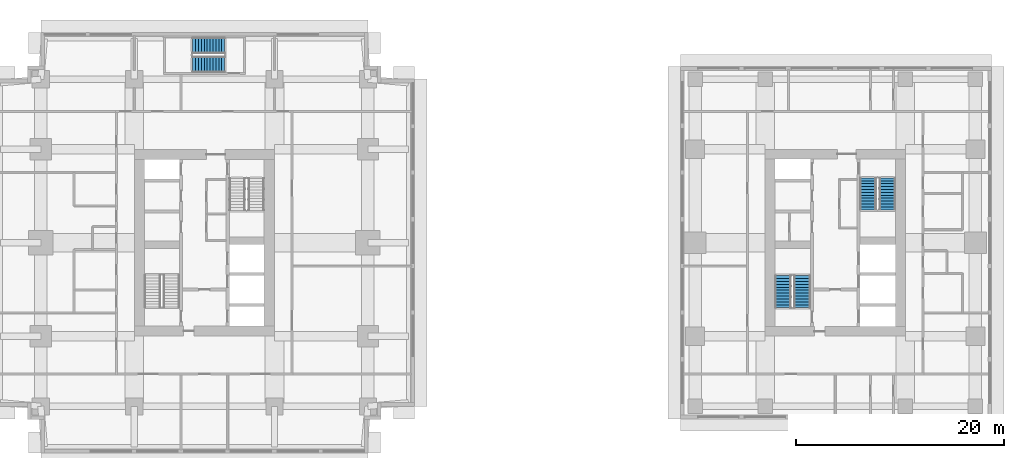
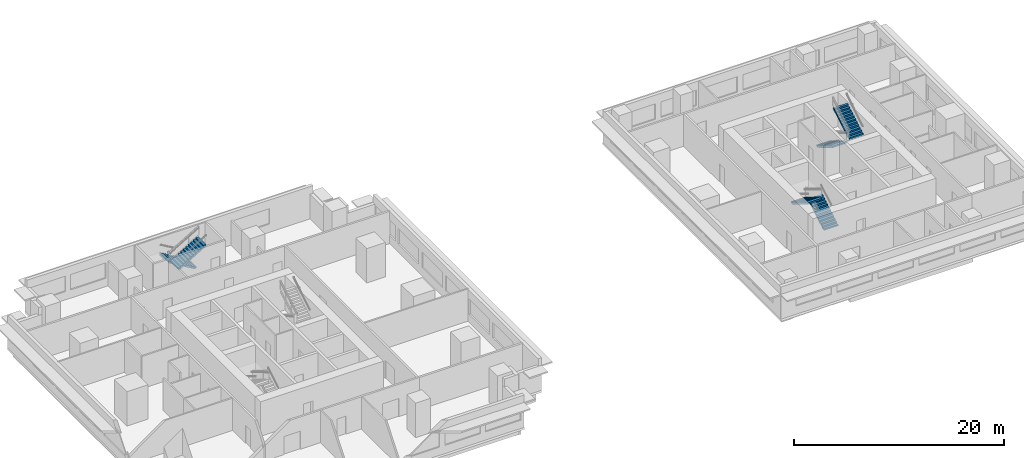
# One storey, part 9 of 11: 6 stair flights, 3 elements without a shape of their own.
"""IFC4 building model written with IfcOpenShell, lengths in metres."""

from ifc_helpers import new_model, si_unit, direction, frame, origin, place, context, subcontext, project, spatial, polyline, outline, extrude, material, type_object, element, aggregate, save


model = new_model("IFC4")

# Units and contexts
model_context = context("Model", 3, precision=1e-05, world=origin(), true_north=direction((0.0, 1.0)))
body_context = subcontext(model_context, "Body", "Model", "MODEL_VIEW")
ifc_project = project(units=[si_unit("LENGTHUNIT", "METRE"), si_unit("AREAUNIT", "SQUARE_METRE"), si_unit("VOLUMEUNIT", "CUBIC_METRE"), si_unit("PLANEANGLEUNIT", "RADIAN"), si_unit("MASSUNIT", "GRAM", prefix="KILO")], contexts=[model_context])

# Site, building, storey
site_placement = place(None, origin())
site = spatial("IfcSite", under=ifc_project, at=site_placement, CompositionType="ELEMENT")
building_placement = place(site_placement, origin())
building = spatial("IfcBuilding", under=site, at=building_placement, Name="Namib Vertical Campus", CompositionType="ELEMENT")
storey_placement = place(building_placement, frame((0.0, 0.0, 193.0)))
storey = spatial("IfcBuildingStorey", under=building, at=storey_placement, Name="L45", CompositionType="ELEMENT", Elevation=193.0)

# Stair, stair flights
ifc_material_1 = material(Name="Concrete C40/50 precast", Category="concrete")
stair_type_1 = type_object("IfcStairType", Name="Exit stair 4000 rise 24 risers 3350 wide", PredefinedType="HALF_TURN_STAIR", material=ifc_material_1)
stair_1_placement = place(storey_placement, origin())
stair_1 = element("IfcStair", 1, at=stair_1_placement, inside=storey, type_object=stair_type_1, Name="Exit stair A-S3 L45", PredefinedType="HALF_TURN_STAIR")
ifc_material_2 = material(Name="Concrete C40/50 precast", Category="concrete")
stair_flight_type_1 = type_object("IfcStairFlightType", Name="Stair flight 12 risers 167 1525 wide", PredefinedType="STRAIGHT", material=ifc_material_2)
stair_flight_1_placement = place(storey_placement, frame((22.199951171875, 39.237548828125, 0.0), z_axis=(0.0, 0.0, 1.0), x_axis=(-1.0, 0.0, 0.0)))
stair_flight_1 = element("IfcStairFlight", 2, at=stair_flight_1_placement, type_object=stair_flight_type_1, Name="A-S3 flight 1", NumberOfRisers=12, NumberOfTreads=11, PredefinedType="STRAIGHT", RiserHeight=0.166666667, TreadLength=0.28, context=body_context, shape_type="SweptSolid", body=[
    extrude(outline(polyline([(0.0, 0.0), (0.0, 0.166748046875), (0.280029296875, 0.166748046875), (0.280029296875, 0.333251953125), (0.56005859375, 0.333251953125), (0.56005859375, 0.5), (0.840087890625, 0.5), (0.840087890625, 0.666748046875), (1.1201171875, 0.666748046875), (1.1201171875, 0.833251953125), (1.39990234375, 0.833251953125), (1.39990234375, 1.0), (1.679931640625, 1.0), (1.679931640625, 1.166748046875), (1.9599609375, 1.166748046875), (1.9599609375, 1.333251953125), (2.239990234375, 1.333251953125), (2.239990234375, 1.5), (2.52001953125, 1.5), (2.52001953125, 1.666748046875), (2.800048828125, 1.666748046875), (2.800048828125, 1.833251953125), (3.080078125, 1.833251953125), (3.080078125, 2.0), (3.080078125, 1.658935546875), (0.29296875, 0.0), (0.0, 0.0)])), frame((0.0, 0.762451171875, 0.0), z_axis=(0.0, -1.0, 0.0), x_axis=(1.0, 0.0, 0.0)), (0.0, 0.0, 1.0), 1.52490234375),
])
stair_flight_2_placement = place(storey_placement, frame((19.1201171875, 37.41259765625, 2.0), z_axis=(0.0, 0.0, 1.0), x_axis=(1.0, 0.0, 0.0)))
stair_flight_2 = element("IfcStairFlight", 3, at=stair_flight_2_placement, type_object=stair_flight_type_1, Name="A-S3 flight 2", NumberOfRisers=12, NumberOfTreads=11, PredefinedType="STRAIGHT", RiserHeight=0.166666667, TreadLength=0.28, context=body_context, shape_type="SweptSolid", body=[
    extrude(outline(polyline([(0.0, 0.0), (0.0, 0.166748046875), (0.280029296875, 0.166748046875), (0.280029296875, 0.333251953125), (0.56005859375, 0.333251953125), (0.56005859375, 0.5), (0.840087890625, 0.5), (0.840087890625, 0.666748046875), (1.1201171875, 0.666748046875), (1.1201171875, 0.833251953125), (1.39990234375, 0.833251953125), (1.39990234375, 1.0), (1.679931640625, 1.0), (1.679931640625, 1.166748046875), (1.9599609375, 1.166748046875), (1.9599609375, 1.333251953125), (2.239990234375, 1.333251953125), (2.239990234375, 1.5), (2.52001953125, 1.5), (2.52001953125, 1.666748046875), (2.800048828125, 1.666748046875), (2.800048828125, 1.833251953125), (3.080078125, 1.833251953125), (3.080078125, 2.0), (3.080078125, 1.658935546875), (0.29296875, 0.0), (0.0, 0.0)])), frame((0.0, 0.762451171875, 0.0), z_axis=(0.0, -1.0, 0.0), x_axis=(1.0, 0.0, 0.0)), (0.0, 0.0, 1.0), 1.52490234375),
])
aggregate(stair_1, [stair_flight_1, stair_flight_2])

ifc_material_3 = material(Name="Concrete C40/50 precast", Category="concrete")
stair_type_2 = type_object("IfcStairType", Name="Exit stair 4000 rise 24 risers 3400 wide", PredefinedType="HALF_TURN_STAIR", material=ifc_material_3)
stair_2_placement = place(storey_placement, origin())
stair_2 = element("IfcStair", 4, at=stair_2_placement, inside=storey, type_object=stair_type_2, Name="Exit stair B-S1 L45", PredefinedType="HALF_TURN_STAIR")
ifc_material_4 = material(Name="Concrete C40/50 precast", Category="concrete")
stair_flight_type_2 = type_object("IfcStairFlightType", Name="Stair flight 12 risers 167 1550 wide", PredefinedType="STRAIGHT", material=ifc_material_4)
stair_flight_3_placement = place(storey_placement, frame((77.824951171875, 14.0, 0.0), z_axis=(0.0, 0.0, 1.0), x_axis=(0.0, 1.0, 0.0)))
stair_flight_3 = element("IfcStairFlight", 5, at=stair_flight_3_placement, type_object=stair_flight_type_2, Name="B-S1 flight 1", NumberOfRisers=12, NumberOfTreads=11, PredefinedType="STRAIGHT", RiserHeight=0.166666667, TreadLength=0.28, context=body_context, shape_type="SweptSolid", body=[
    extrude(outline(polyline([(0.0, 0.0), (0.0, 0.166748046875), (0.280029296875, 0.166748046875), (0.280029296875, 0.333251953125), (0.56005859375, 0.333251953125), (0.56005859375, 0.5), (0.840087890625, 0.5), (0.840087890625, 0.666748046875), (1.1201171875, 0.666748046875), (1.1201171875, 0.833251953125), (1.39990234375, 0.833251953125), (1.39990234375, 1.0), (1.679931640625, 1.0), (1.679931640625, 1.166748046875), (1.9599609375, 1.166748046875), (1.9599609375, 1.333251953125), (2.239990234375, 1.333251953125), (2.239990234375, 1.5), (2.52001953125, 1.5), (2.52001953125, 1.666748046875), (2.800048828125, 1.666748046875), (2.800048828125, 1.833251953125), (3.080078125, 1.833251953125), (3.080078125, 2.0), (3.080078125, 1.658935546875), (0.29296875, 0.0), (0.0, 0.0)])), frame((0.0, 0.77490234375, 0.0), z_axis=(0.0, -1.0, 0.0), x_axis=(1.0, 0.0, 0.0)), (0.0, 0.0, 1.0), 1.550048828125),
])
stair_flight_4_placement = place(storey_placement, frame((75.97509765625, 17.080078125, 2.0), z_axis=(0.0, 0.0, 1.0), x_axis=(0.0, -1.0, 0.0)))
stair_flight_4 = element("IfcStairFlight", 6, at=stair_flight_4_placement, type_object=stair_flight_type_2, Name="B-S1 flight 2", NumberOfRisers=12, NumberOfTreads=11, PredefinedType="STRAIGHT", RiserHeight=0.166666667, TreadLength=0.28, context=body_context, shape_type="SweptSolid", body=[
    extrude(outline(polyline([(0.0, 0.0), (0.0, 0.166748046875), (0.280029296875, 0.166748046875), (0.280029296875, 0.333251953125), (0.56005859375, 0.333251953125), (0.56005859375, 0.5), (0.840087890625, 0.5), (0.840087890625, 0.666748046875), (1.1201171875, 0.666748046875), (1.1201171875, 0.833251953125), (1.39990234375, 0.833251953125), (1.39990234375, 1.0), (1.679931640625, 1.0), (1.679931640625, 1.166748046875), (1.9599609375, 1.166748046875), (1.9599609375, 1.333251953125), (2.239990234375, 1.333251953125), (2.239990234375, 1.5), (2.52001953125, 1.5), (2.52001953125, 1.666748046875), (2.800048828125, 1.666748046875), (2.800048828125, 1.833251953125), (3.080078125, 1.833251953125), (3.080078125, 2.0), (3.080078125, 1.658935546875), (0.29296875, 0.0), (0.0, 0.0)])), frame((0.0, 0.77490234375, 0.0), z_axis=(0.0, -1.0, 0.0), x_axis=(1.0, 0.0, 0.0)), (0.0, 0.0, 1.0), 1.550048828125),
])
aggregate(stair_2, [stair_flight_3, stair_flight_4])

stair_3_placement = place(storey_placement, origin())
stair_3 = element("IfcStair", 7, at=stair_3_placement, inside=storey, type_object=stair_type_2, Name="Exit stair B-S2 L45", PredefinedType="HALF_TURN_STAIR")
stair_flight_5_placement = place(storey_placement, frame((84.175048828125, 26.5, 0.0), z_axis=(0.0, 0.0, 1.0), x_axis=(0.0, -1.0, 0.0)))
stair_flight_5 = element("IfcStairFlight", 8, at=stair_flight_5_placement, type_object=stair_flight_type_2, Name="B-S2 flight 1", NumberOfRisers=12, NumberOfTreads=11, PredefinedType="STRAIGHT", RiserHeight=0.166666667, TreadLength=0.28, context=body_context, shape_type="SweptSolid", body=[
    extrude(outline(polyline([(0.0, 0.0), (0.0, 0.166748046875), (0.280029296875, 0.166748046875), (0.280029296875, 0.333251953125), (0.56005859375, 0.333251953125), (0.56005859375, 0.5), (0.840087890625, 0.5), (0.840087890625, 0.666748046875), (1.1201171875, 0.666748046875), (1.1201171875, 0.833251953125), (1.39990234375, 0.833251953125), (1.39990234375, 1.0), (1.679931640625, 1.0), (1.679931640625, 1.166748046875), (1.9599609375, 1.166748046875), (1.9599609375, 1.333251953125), (2.239990234375, 1.333251953125), (2.239990234375, 1.5), (2.52001953125, 1.5), (2.52001953125, 1.666748046875), (2.800048828125, 1.666748046875), (2.800048828125, 1.833251953125), (3.080078125, 1.833251953125), (3.080078125, 2.0), (3.080078125, 1.658935546875), (0.29296875, 0.0), (0.0, 0.0)])), frame((0.0, 0.77490234375, 0.0), z_axis=(0.0, -1.0, 0.0), x_axis=(1.0, 0.0, 0.0)), (0.0, 0.0, 1.0), 1.550048828125),
])
stair_flight_6_placement = place(storey_placement, frame((86.02490234375, 23.419921875, 2.0), z_axis=(0.0, 0.0, 1.0), x_axis=(0.0, 1.0, 0.0)))
stair_flight_6 = element("IfcStairFlight", 9, at=stair_flight_6_placement, type_object=stair_flight_type_2, Name="B-S2 flight 2", NumberOfRisers=12, NumberOfTreads=11, PredefinedType="STRAIGHT", RiserHeight=0.166666667, TreadLength=0.28, context=body_context, shape_type="SweptSolid", body=[
    extrude(outline(polyline([(0.0, 0.0), (0.0, 0.166748046875), (0.280029296875, 0.166748046875), (0.280029296875, 0.333251953125), (0.56005859375, 0.333251953125), (0.56005859375, 0.5), (0.840087890625, 0.5), (0.840087890625, 0.666748046875), (1.1201171875, 0.666748046875), (1.1201171875, 0.833251953125), (1.39990234375, 0.833251953125), (1.39990234375, 1.0), (1.679931640625, 1.0), (1.679931640625, 1.166748046875), (1.9599609375, 1.166748046875), (1.9599609375, 1.333251953125), (2.239990234375, 1.333251953125), (2.239990234375, 1.5), (2.52001953125, 1.5), (2.52001953125, 1.666748046875), (2.800048828125, 1.666748046875), (2.800048828125, 1.833251953125), (3.080078125, 1.833251953125), (3.080078125, 2.0), (3.080078125, 1.658935546875), (0.29296875, 0.0), (0.0, 0.0)])), frame((0.0, 0.77490234375, 0.0), z_axis=(0.0, -1.0, 0.0), x_axis=(1.0, 0.0, 0.0)), (0.0, 0.0, 1.0), 1.550048828125),
])
aggregate(stair_3, [stair_flight_5, stair_flight_6])

save(model, "model.ifc")
